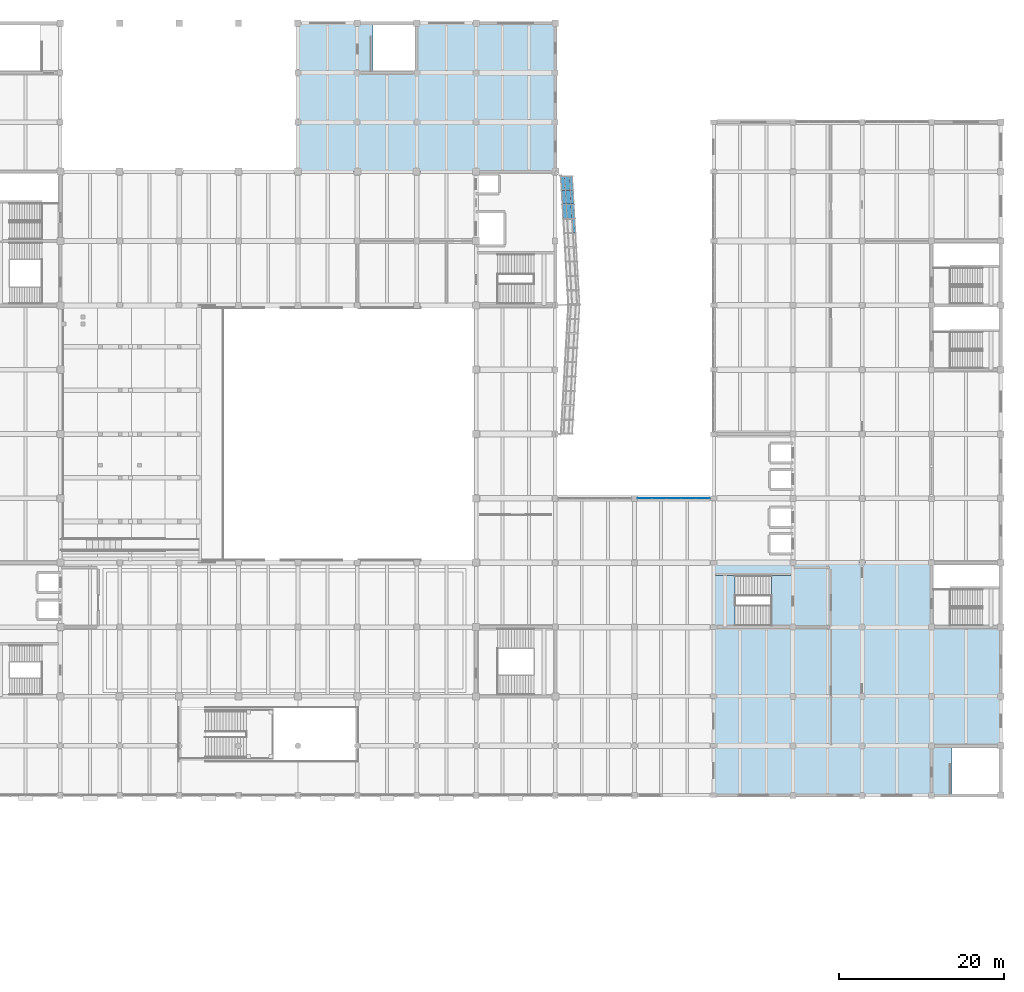
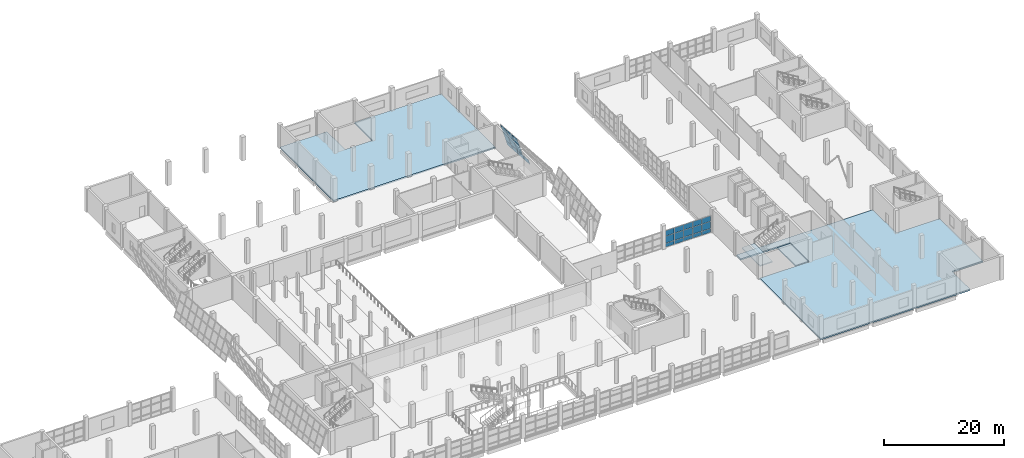
# One storey, part 72 of 91: 25 plates, 4 slabs, 3 elements without a shape of their own.
"""IFC4 building model written with IfcOpenShell, lengths in metres."""

from ifc_helpers import new_model, si_unit, direction, frame, origin, place, context, subcontext, project, spatial, polyline, outline, extrude, material, layer, layer_set, type_object, element, aggregate, save


model = new_model("IFC4")

# Units and contexts
model_context = context("Model", 3, precision=1e-05, world=origin(), true_north=direction((0.0, 1.0)))
body_context = subcontext(model_context, "Body", "Model", "MODEL_VIEW")
ifc_project = project(units=[si_unit("LENGTHUNIT", "METRE"), si_unit("AREAUNIT", "SQUARE_METRE"), si_unit("VOLUMEUNIT", "CUBIC_METRE"), si_unit("PLANEANGLEUNIT", "RADIAN"), si_unit("MASSUNIT", "GRAM", prefix="KILO")], contexts=[model_context])

# Site, building, storey
site_placement = place(None, origin())
site = spatial("IfcSite", under=ifc_project, at=site_placement, CompositionType="ELEMENT")
building_placement = place(site_placement, origin())
building = spatial("IfcBuilding", under=site, at=building_placement, Name="Pellamere Symphony Hall", CompositionType="ELEMENT")
storey_placement = place(building_placement, frame((0.0, 0.0, 5.39990234375)))
storey = spatial("IfcBuildingStorey", under=building, at=storey_placement, Name="L01", CompositionType="ELEMENT", Elevation=5.39990234375)

# Curtain wall, plates
ifc_material_1 = material(Name="Thermally Broken Anodised Aluminium 6063-T6 Curtain Wall", Category="aluminium")
curtain_wall_type_1 = type_object("IfcCurtainWallType", Name="Curtain Wall CW-01 (Tilted Faceted Crystal Low-Iron Curtain Wall)", PredefinedType="NOTDEFINED", material=ifc_material_1)
curtain_wall_1_placement = place(storey_placement, origin())
curtain_wall_1 = element("IfcCurtainWall", 1, at=curtain_wall_1_placement, inside=storey, type_object=curtain_wall_type_1, Name="Crystal Faceted Curtain Wall CW-CR09 (L01)", PredefinedType="NOTDEFINED")
ifc_material_2 = material(Name="Pre-Weathered Quartz-Zinc Faceted Cladding Cassette", Category="aluminium")
ifc_layer_1 = layer(ifc_material_2, 0.0400390625, Name="Pre-Weathered Quartz-Zinc Faceted Cladding Cassette")
ifc_layer_set_1 = layer_set([ifc_layer_1], Name="Pre-Weathered Quartz-Zinc Faceted Cladding Cassette")
plate_type_1 = type_object("IfcPlateType", Name="Facade Panel CL-01 40mm", PredefinedType="CURTAIN_PANEL", material=ifc_layer_set_1)
plate_1_placement = place(storey_placement, frame((121.248291015625, 86.2041015625, 0.072021484375), z_axis=(0.957349655397, 0.055245262022, 0.283601125412), x_axis=(-0.057610619545, 0.998339129012, 0.0)))
plate_1 = element("IfcPlate", 2, at=plate_1_placement, type_object=plate_type_1, Name="CW1-018 crystal glass panel 6.1", PredefinedType="CURTAIN_PANEL", context=body_context, shape_type="SweptSolid", body=[
    extrude(outline(polyline([(0.0, 0.0), (1.6612063149993754, 3.469446951953614e-18), (1.67902678740273, 1.0888970223981924), (0.017820472403354506, 1.0888970223981924), (0.0, 0.0)])), origin(), (0.0, 0.0, -1.0), 0.0400390625),
])
plate_2_placement = place(storey_placement, frame((121.1484375, 87.9375, 0.072021484375), z_axis=(0.957349655397, 0.055245262022, 0.283601125412), x_axis=(-0.057610619545, 0.998339129012, 0.0)))
plate_2 = element("IfcPlate", 3, at=plate_2_placement, type_object=plate_type_1, Name="CW1-018 crystal glass panel 7.1", PredefinedType="CURTAIN_PANEL", context=body_context, shape_type="SweptSolid", body=[
    extrude(outline(polyline([(0.0, 0.0), (1.6612063149993754, 3.469446951953614e-18), (1.67902678740273, 1.0888970223981924), (0.017820472403354506, 1.0888970223981924), (0.0, 0.0)])), origin(), (0.0, 0.0, -1.0), 0.0400390625),
])
plate_3_placement = place(storey_placement, frame((120.81787109375, 87.9375, 1.18798828125), z_axis=(0.957347197893, 0.055245120208, 0.283609448679), x_axis=(-0.057610619545, 0.998339129012, 0.0)))
plate_3 = element("IfcPlate", 4, at=plate_3_placement, type_object=plate_type_1, Name="CW1-018 crystal glass panel 7.2", PredefinedType="CURTAIN_PANEL", context=body_context, shape_type="SweptSolid", body=[
    extrude(outline(polyline([(0.0, 0.0), (1.6612063149993754, 6.938893903907228e-18), (1.6943858685901516, 2.0273344043651265), (0.03317955359077607, 2.0273344043651265), (0.0, 0.0)])), origin(), (0.0, 0.0, -1.0), 0.0400390625),
])
plate_4_placement = place(storey_placement, frame((120.220703125, 87.9375, 3.2041015625), z_axis=(0.95732464422, 0.055243818715, 0.283685822811), x_axis=(-0.057610619545, 0.998339129012, 0.0)))
plate_4 = element("IfcPlate", 5, at=plate_4_placement, type_object=plate_type_1, Name="CW1-018 crystal glass panel 7.3", PredefinedType="CURTAIN_PANEL", context=body_context, shape_type="SweptSolid", body=[
    extrude(outline(polyline([(0.0, 0.0), (1.6612063149993754, -3.469446951953614e-18), (1.6872267364249525, 1.5894696553130707), (0.026020421425576826, 1.5894696553130707), (0.0, 0.0)])), origin(), (0.0, 0.0, -1.0), 0.0400390625),
])
plate_5_placement = place(storey_placement, frame((121.04833984375, 89.670654296875, 0.072021484375), z_axis=(0.957350085432, 0.055237155356, 0.283601252804), x_axis=(-0.057602168051, 0.998339616682, 0.0)))
plate_5 = element("IfcPlate", 6, at=plate_5_placement, type_object=plate_type_1, Name="CW1-018 crystal glass panel 8.1", PredefinedType="CURTAIN_PANEL", context=body_context, shape_type="SweptSolid", body=[
    extrude(outline(polyline([(0.0, 0.0), (1.6614500501978287, 3.469446951953614e-18), (1.6792679083327753, 1.088897065179171), (0.017817858134946473, 1.088897065179171), (0.0, 0.0)])), origin(), (0.0, 0.0, -1.0), 0.0400390625),
])
plate_6_placement = place(storey_placement, frame((120.7177734375, 89.670654296875, 1.18798828125), z_axis=(0.957347627924, 0.055237013563, 0.283609576073), x_axis=(-0.057602168051, 0.998339616682, 0.0)))
plate_6 = element("IfcPlate", 7, at=plate_6_placement, type_object=plate_type_1, Name="CW1-018 crystal glass panel 8.2", PredefinedType="CURTAIN_PANEL", context=body_context, shape_type="SweptSolid", body=[
    extrude(outline(polyline([(0.0, 0.0), (1.6614500501978287, 0.0), (1.6946247363385853, 2.027334484020446), (0.03317468614075669, 2.027334484020446), (0.0, 0.0)])), origin(), (0.0, 0.0, -1.0), 0.0400390625),
])
plate_7_placement = place(storey_placement, frame((120.12060546875, 89.670654296875, 3.2041015625), z_axis=(0.957366710729, 0.055238114602, 0.283544938033), x_axis=(-0.057602168051, 0.998339616682, 0.0)))
plate_7 = element("IfcPlate", 8, at=plate_7_placement, type_object=plate_type_1, Name="CW1-018 crystal glass panel 8.3", PredefinedType="CURTAIN_PANEL", context=body_context, shape_type="SweptSolid", body=[
    extrude(outline(polyline([(0.0, 0.0), (1.6614500501978287, 0.0), (1.687452591390817, 1.5894005907142166), (0.02600254119298818, 1.5894005907142166), (0.0, 0.0)])), origin(), (0.0, 0.0, -1.0), 0.0400390625),
])
plate_8_placement = place(storey_placement, frame((120.9482421875, 91.404052734375, 0.072021484375), z_axis=(0.957411713327, 0.05522419973, 0.283395657955), x_axis=(-0.057585007883, 0.99834060664, 0.0)))
plate_8 = element("IfcPlate", 9, at=plate_8_placement, type_object=plate_type_1, Name="CW1-018 crystal glass panel 9.1", PredefinedType="CURTAIN_PANEL", context=body_context, shape_type="SweptSolid", body=[
    extrude(outline(polyline([(0.0, 0.0), (1.6237882534451713, 0.0), (1.6415867446512034, 1.0888280533536514), (0.01779849120603195, 1.0888280533536514), (0.0, 0.0)])), origin(), (0.0, 0.0, -1.0), 0.0400390625),
])
plate_9_placement = place(storey_placement, frame((120.61767578125, 91.404052734375, 1.18798828125), z_axis=(0.957381138224, 0.055222436136, 0.283499274637), x_axis=(-0.057585007883, 0.99834060664, 0.0)))
plate_9 = element("IfcPlate", 10, at=plate_9_placement, type_object=plate_type_1, Name="CW1-018 crystal glass panel 9.2", PredefinedType="CURTAIN_PANEL", context=body_context, shape_type="SweptSolid", body=[
    extrude(outline(polyline([(0.0, 0.0), (1.6237882534451713, 0.0), (1.656938997729392, 2.027265533407744), (0.03315074428422065, 2.027265533407744), (0.0, 0.0)])), origin(), (0.0, 0.0, -1.0), 0.0400390625),
])
plate_10_placement = place(storey_placement, frame((120.0205078125, 91.404052734375, 3.2041015625), z_axis=(0.957367583734, 0.055221654303, 0.283545196592), x_axis=(-0.057585007883, 0.99834060664, 0.0)))
plate_10 = element("IfcPlate", 11, at=plate_10_placement, type_object=plate_type_1, Name="CW1-018 crystal glass panel 9.3", PredefinedType="CURTAIN_PANEL", context=body_context, shape_type="SweptSolid", body=[
    extrude(outline(polyline([(0.0, 0.0), (1.6237882534451713, -3.469446951953614e-18), (1.6497830482634597, 1.589400717425769), (0.02599479481828837, 1.589400717425769), (0.0, 0.0)])), origin(), (0.0, 0.0, -1.0), 0.0400390625),
])
aggregate(curtain_wall_1, [plate_1, plate_2, plate_3, plate_4, plate_5, plate_6, plate_7, plate_8, plate_9, plate_10])

curtain_wall_type_2 = type_object("IfcCurtainWallType", Name="Curtain Wall CW-03 (Sculpture Court Glazed Link Curtain Wall)", PredefinedType="NOTDEFINED", material=ifc_material_1)
curtain_wall_2_placement = place(storey_placement, origin())
curtain_wall_2 = element("IfcCurtainWall", 12, at=curtain_wall_2_placement, inside=storey, type_object=curtain_wall_type_2, Name="Sculpture Court Link Curtain Wall (L01 Bay 2)", PredefinedType="NOTDEFINED")
ifc_material_3 = material(Name="Brushed Champagne-Anodised Aluminium Acoustic Cassette", Category="aluminium")
ifc_layer_2 = layer(ifc_material_3, 0.044921875, Name="Brushed Champagne-Anodised Aluminium Acoustic Cassette")
ifc_layer_set_2 = layer_set([ifc_layer_2], Name="Brushed Champagne-Anodised Aluminium Acoustic Cassette")
plate_type_2 = type_object("IfcPlateType", Name="Facade Panel CL-02 45mm", PredefinedType="CURTAIN_PANEL", material=ifc_layer_set_2)
plate_11_placement = place(storey_placement, frame((128.81005859375, 54.0, 0.06005859375), z_axis=(0.0, -1.0, 0.0), x_axis=(1.0, 0.0, 0.0)))
plate_11 = element("IfcPlate", 13, at=plate_11_placement, type_object=plate_type_2, Name="CW3-104 crystal glass panel 1.1", PredefinedType="CURTAIN_PANEL", context=body_context, shape_type="SweptSolid", body=[
    extrude(outline(polyline([(0.0, 0.0), (1.679931640625, 0.0), (1.679931640625, 0.7451171875), (0.0, 0.7451171875), (0.0, 0.0)])), origin(), (0.0, 0.0, -1.0), 0.044921875),
])
plate_12_placement = place(storey_placement, frame((128.81005859375, 54.0, 0.865234375), z_axis=(0.0, -1.0, 0.0), x_axis=(1.0, 0.0, 0.0)))
plate_12 = element("IfcPlate", 14, at=plate_12_placement, type_object=plate_type_2, Name="CW3-104 crystal glass panel 1.2", PredefinedType="CURTAIN_PANEL", context=body_context, shape_type="SweptSolid", body=[
    extrude(outline(polyline([(0.0, 0.0), (1.679931640625, 0.0), (1.679931640625, 1.401611328125), (0.0, 1.401611328125), (0.0, 0.0)])), origin(), (0.0, 0.0, -1.0), 0.044921875),
])
plate_13_placement = place(storey_placement, frame((128.81005859375, 54.0, 2.326904296875), z_axis=(0.0, -1.0, 0.0), x_axis=(1.0, 0.0, 0.0)))
plate_13 = element("IfcPlate", 15, at=plate_13_placement, type_object=plate_type_2, Name="CW3-104 crystal glass panel 1.3", PredefinedType="CURTAIN_PANEL", context=body_context, shape_type="SweptSolid", body=[
    extrude(outline(polyline([(0.0, 0.0), (1.679931640625, 0.0), (1.679931640625, 1.09326171875), (0.0, 1.09326171875), (0.0, 0.0)])), origin(), (0.0, 0.0, -1.0), 0.044921875),
])
plate_14_placement = place(storey_placement, frame((130.550048828125, 54.0, 0.06005859375), z_axis=(0.0, -1.0, 0.0), x_axis=(1.0, 0.0, 0.0)))
plate_14 = element("IfcPlate", 16, at=plate_14_placement, type_object=plate_type_2, Name="CW3-104 crystal glass panel 2.1", PredefinedType="CURTAIN_PANEL", context=body_context, shape_type="SweptSolid", body=[
    extrude(outline(polyline([(0.0, 0.0), (1.7099609375, 0.0), (1.7099609375, 0.7451171875), (0.0, 0.7451171875), (0.0, 0.0)])), origin(), (0.0, 0.0, -1.0), 0.044921875),
])
plate_15_placement = place(storey_placement, frame((130.550048828125, 54.0, 0.865234375), z_axis=(0.0, -1.0, 0.0), x_axis=(1.0, 0.0, 0.0)))
plate_15 = element("IfcPlate", 17, at=plate_15_placement, type_object=plate_type_2, Name="CW3-104 crystal glass panel 2.2", PredefinedType="CURTAIN_PANEL", context=body_context, shape_type="SweptSolid", body=[
    extrude(outline(polyline([(0.0, 0.0), (1.7099609375, 0.0), (1.7099609375, 1.401611328125), (0.0, 1.401611328125), (0.0, 0.0)])), origin(), (0.0, 0.0, -1.0), 0.044921875),
])
plate_16_placement = place(storey_placement, frame((130.550048828125, 54.0, 2.326904296875), z_axis=(0.0, -1.0, 0.0), x_axis=(1.0, 0.0, 0.0)))
plate_16 = element("IfcPlate", 18, at=plate_16_placement, type_object=plate_type_2, Name="CW3-104 crystal glass panel 2.3", PredefinedType="CURTAIN_PANEL", context=body_context, shape_type="SweptSolid", body=[
    extrude(outline(polyline([(0.0, 0.0), (1.7099609375, 0.0), (1.7099609375, 1.09326171875), (0.0, 1.09326171875), (0.0, 0.0)])), origin(), (0.0, 0.0, -1.0), 0.044921875),
])
plate_17_placement = place(storey_placement, frame((132.320068359375, 54.0, 0.06005859375), z_axis=(0.0, -1.0, 0.0), x_axis=(1.0, 0.0, 0.0)))
plate_17 = element("IfcPlate", 19, at=plate_17_placement, type_object=plate_type_2, Name="CW3-104 crystal glass panel 3.1", PredefinedType="CURTAIN_PANEL", context=body_context, shape_type="SweptSolid", body=[
    extrude(outline(polyline([(0.0, 0.0), (1.7099609375, 0.0), (1.7099609375, 0.7451171875), (0.0, 0.7451171875), (0.0, 0.0)])), origin(), (0.0, 0.0, -1.0), 0.044921875),
])
plate_18_placement = place(storey_placement, frame((132.320068359375, 54.0, 0.865234375), z_axis=(0.0, -1.0, 0.0), x_axis=(1.0, 0.0, 0.0)))
plate_18 = element("IfcPlate", 20, at=plate_18_placement, type_object=plate_type_2, Name="CW3-104 crystal glass panel 3.2", PredefinedType="CURTAIN_PANEL", context=body_context, shape_type="SweptSolid", body=[
    extrude(outline(polyline([(0.0, 0.0), (1.7099609375, 0.0), (1.7099609375, 1.401611328125), (0.0, 1.401611328125), (0.0, 0.0)])), origin(), (0.0, 0.0, -1.0), 0.044921875),
])
plate_19_placement = place(storey_placement, frame((132.320068359375, 54.0, 2.326904296875), z_axis=(0.0, -1.0, 0.0), x_axis=(1.0, 0.0, 0.0)))
plate_19 = element("IfcPlate", 21, at=plate_19_placement, type_object=plate_type_2, Name="CW3-104 crystal glass panel 3.3", PredefinedType="CURTAIN_PANEL", context=body_context, shape_type="SweptSolid", body=[
    extrude(outline(polyline([(0.0, 0.0), (1.7099609375, 0.0), (1.7099609375, 1.09326171875), (0.0, 1.09326171875), (0.0, 0.0)])), origin(), (0.0, 0.0, -1.0), 0.044921875),
])
plate_20_placement = place(storey_placement, frame((134.090087890625, 54.0, 0.06005859375), z_axis=(0.0, -1.0, 0.0), x_axis=(1.0, 0.0, 0.0)))
plate_20 = element("IfcPlate", 22, at=plate_20_placement, type_object=plate_type_2, Name="CW3-104 crystal glass panel 4.1", PredefinedType="CURTAIN_PANEL", context=body_context, shape_type="SweptSolid", body=[
    extrude(outline(polyline([(0.0, 0.0), (1.7099609375, 0.0), (1.7099609375, 0.7451171875), (0.0, 0.7451171875), (0.0, 0.0)])), origin(), (0.0, 0.0, -1.0), 0.044921875),
])
plate_21_placement = place(storey_placement, frame((134.090087890625, 54.0, 0.865234375), z_axis=(0.0, -1.0, 0.0), x_axis=(1.0, 0.0, 0.0)))
plate_21 = element("IfcPlate", 23, at=plate_21_placement, type_object=plate_type_2, Name="CW3-104 crystal glass panel 4.2", PredefinedType="CURTAIN_PANEL", context=body_context, shape_type="SweptSolid", body=[
    extrude(outline(polyline([(0.0, 0.0), (1.7099609375, 0.0), (1.7099609375, 1.401611328125), (0.0, 1.401611328125), (0.0, 0.0)])), origin(), (0.0, 0.0, -1.0), 0.044921875),
])
plate_22_placement = place(storey_placement, frame((134.090087890625, 54.0, 2.326904296875), z_axis=(0.0, -1.0, 0.0), x_axis=(1.0, 0.0, 0.0)))
plate_22 = element("IfcPlate", 24, at=plate_22_placement, type_object=plate_type_2, Name="CW3-104 crystal glass panel 4.3", PredefinedType="CURTAIN_PANEL", context=body_context, shape_type="SweptSolid", body=[
    extrude(outline(polyline([(0.0, 0.0), (1.7099609375, 0.0), (1.7099609375, 1.09326171875), (0.0, 1.09326171875), (0.0, 0.0)])), origin(), (0.0, 0.0, -1.0), 0.044921875),
])
plate_23_placement = place(storey_placement, frame((135.860107421875, 54.0, 0.06005859375), z_axis=(0.0, -1.0, 0.0), x_axis=(1.0, 0.0, 0.0)))
plate_23 = element("IfcPlate", 25, at=plate_23_placement, type_object=plate_type_2, Name="CW3-104 crystal glass panel 5.1", PredefinedType="CURTAIN_PANEL", context=body_context, shape_type="SweptSolid", body=[
    extrude(outline(polyline([(0.0, 0.0), (1.679931640625, 0.0), (1.679931640625, 0.7451171875), (0.0, 0.7451171875), (0.0, 0.0)])), origin(), (0.0, 0.0, -1.0), 0.044921875),
])
plate_24_placement = place(storey_placement, frame((135.860107421875, 54.0, 0.865234375), z_axis=(0.0, -1.0, 0.0), x_axis=(1.0, 0.0, 0.0)))
plate_24 = element("IfcPlate", 26, at=plate_24_placement, type_object=plate_type_2, Name="CW3-104 crystal glass panel 5.2", PredefinedType="CURTAIN_PANEL", context=body_context, shape_type="SweptSolid", body=[
    extrude(outline(polyline([(0.0, 0.0), (1.679931640625, 0.0), (1.679931640625, 1.401611328125), (0.0, 1.401611328125), (0.0, 0.0)])), origin(), (0.0, 0.0, -1.0), 0.044921875),
])
plate_25_placement = place(storey_placement, frame((135.860107421875, 54.0, 2.326904296875), z_axis=(0.0, -1.0, 0.0), x_axis=(1.0, 0.0, 0.0)))
plate_25 = element("IfcPlate", 27, at=plate_25_placement, type_object=plate_type_2, Name="CW3-104 crystal glass panel 5.3", PredefinedType="CURTAIN_PANEL", context=body_context, shape_type="SweptSolid", body=[
    extrude(outline(polyline([(0.0, 0.0), (1.679931640625, 0.0), (1.679931640625, 1.09326171875), (0.0, 1.09326171875), (0.0, 0.0)])), origin(), (0.0, 0.0, -1.0), 0.044921875),
])
aggregate(curtain_wall_2, [plate_11, plate_12, plate_13, plate_14, plate_15, plate_16, plate_17, plate_18, plate_19, plate_20, plate_21, plate_22, plate_23, plate_24, plate_25])

# Stair, slabs
ifc_material_4 = material(Name="Concrete 40 MPa", Category="concrete")
stair_type = type_object("IfcStairType", Name="Stair ST-A W2400", PredefinedType="HALF_TURN_STAIR", material=ifc_material_4)
stair_placement = place(storey_placement, origin())
stair = element("IfcStair", 28, at=stair_placement, inside=storey, type_object=stair_type, Name="Exit Stair ST02-L01 (L01 to L02)", PredefinedType="HALF_TURN_STAIR")
ifc_layer_3 = layer(ifc_material_4, 0.219970703125, Name="Concrete 40 MPa")
ifc_layer_set_3 = layer_set([ifc_layer_3], Name="Concrete 40 MPa")
slab_type_1 = type_object("IfcSlabType", Name="Stair Landing SL-01 220mm", PredefinedType="LANDING", material=ifc_layer_set_3)
slab_1_placement = place(storey_placement, frame((0.0, 0.0, -0.219970703125)))
slab_1 = element("IfcSlab", 29, at=slab_1_placement, type_object=slab_type_1, Name="Stair ST02-L01 Bottom Landing (L01)", PredefinedType="LANDING", context=body_context, shape_type="SweptSolid", body=[
    extrude(outline(polyline([(145.02490234375, 38.56005859375), (147.43994140625, 38.56005859375), (147.43994140625, 44.639892578125), (145.02490234375, 44.639892578125), (145.02490234375, 38.56005859375)])), origin(), (0.0, 0.0, 1.0), 0.219970703125),
])
slab_2_placement = place(storey_placement, frame((0.0, 0.0, 2.18017578125)))
slab_2 = element("IfcSlab", 30, at=slab_2_placement, type_object=slab_type_1, Name="Stair ST02-L01 Half Landing (L01)", PredefinedType="LANDING", context=body_context, shape_type="SweptSolid", body=[
    extrude(outline(polyline([(138.159912109375, 38.56005859375), (140.574951171875, 38.56005859375), (140.574951171875, 44.639892578125), (138.159912109375, 44.639892578125), (138.159912109375, 38.56005859375)])), origin(), (0.0, 0.0, 1.0), 0.219970703125),
])
aggregate(stair, [slab_1, slab_2])

# Slabs
ifc_layer_4 = layer(ifc_material_4, 0.280029296875, Name="Concrete 40 MPa")
ifc_layer_set_4 = layer_set([ifc_layer_4], Name="Concrete 40 MPa")
slab_type_2 = type_object("IfcSlabType", Name="Structural Slab FS-03 280mm", PredefinedType="FLOOR", material=ifc_layer_set_4)
slab_3_placement = place(storey_placement, frame((0.0, 0.0, -0.27978515625)))
element("IfcSlab", 31, at=slab_3_placement, inside=storey, type_object=slab_type_2, Name="Floor Slab L01-V5A-1", PredefinedType="FLOOR", context=body_context, shape_type="SweptSolid", body=[
    extrude(outline(polyline([(172.800048828125, 24.0), (166.875, 24.0), (166.875, 18.0), (138.0, 18.0), (138.0, 38.39990234375), (147.60009765625, 38.39990234375), (147.60009765625, 44.800048828125), (138.0, 44.800048828125), (138.0, 46.199951171875), (164.39990234375, 46.199951171875), (164.39990234375, 38.39990234375), (172.800048828125, 38.39990234375), (172.800048828125, 24.0)])), origin(), (0.0, 0.0, 1.0), 0.27978515625),
])
ifc_layer_5 = layer(ifc_material_4, 0.2900390625, Name="Concrete 40 MPa")
ifc_layer_set_5 = layer_set([ifc_layer_5], Name="Concrete 40 MPa")
slab_type_3 = type_object("IfcSlabType", Name="Structural Slab FS-07 290mm", PredefinedType="FLOOR", material=ifc_layer_set_5)
slab_4_placement = place(storey_placement, frame((0.0, 0.0, -0.289794921875)))
element("IfcSlab", 32, at=slab_4_placement, inside=storey, type_object=slab_type_3, Name="Floor Slab L01-V3-1", PredefinedType="FLOOR", context=body_context, shape_type="SweptSolid", body=[
    extrude(outline(polyline([(118.800048828125, 93.60009765625), (87.60009765625, 93.60009765625), (87.60009765625, 111.60009765625), (96.675048828125, 111.60009765625), (96.675048828125, 105.60009765625), (102.0, 105.60009765625), (102.0, 111.60009765625), (118.800048828125, 111.60009765625), (118.800048828125, 93.60009765625)])), origin(), (0.0, 0.0, 1.0), 0.289794921875),
])

save(model, "model.ifc")
